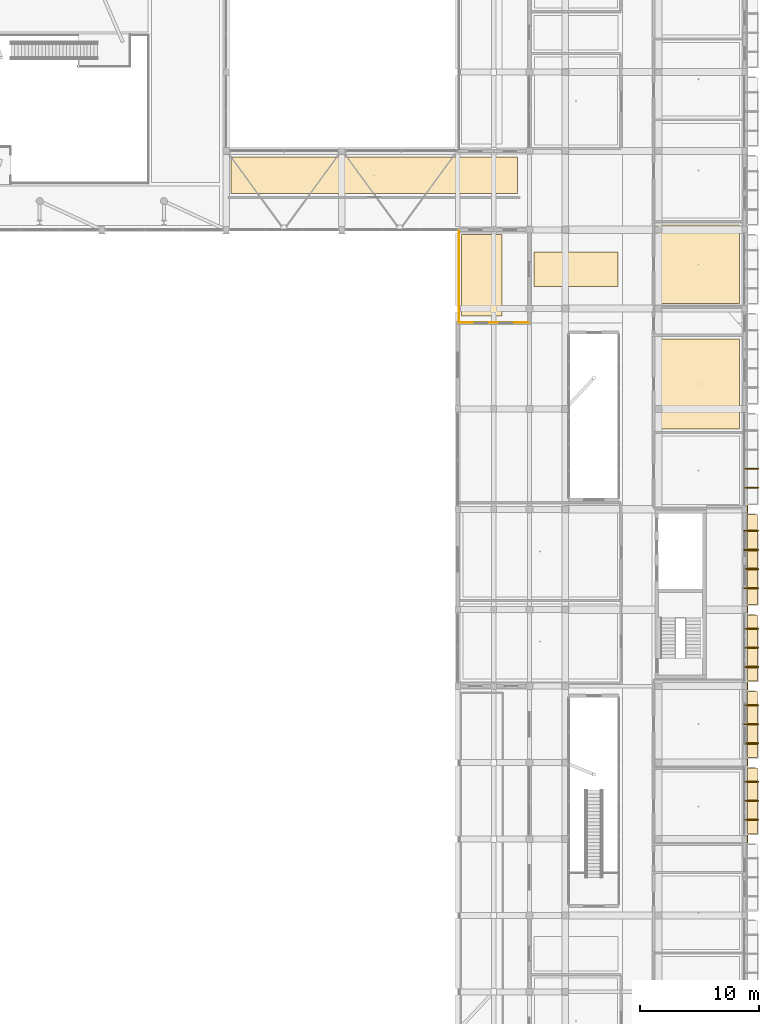
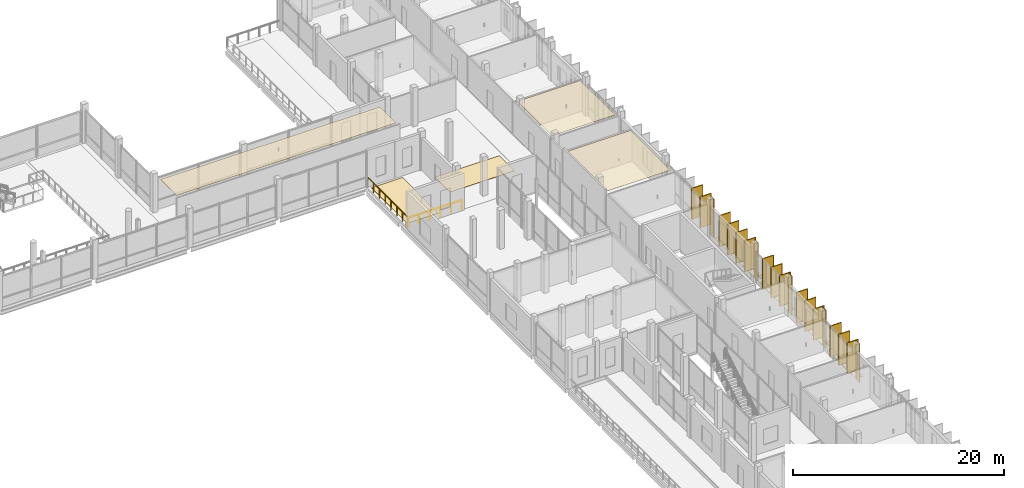
# One storey, part 94 of 95: 29 coverings, 15 shading devices, 2 railings.
"""IFC4 building model written with IfcOpenShell, lengths in metres."""

import ifcopenshell
import ifcopenshell.guid

model = None  # the IFC model being written
_history = None  # IfcOwnerHistory: only IFC2X3 demands one
_inside = {}  # id of a spatial element -> (the spatial element, [elements in it])
_under = {}  # id of a project, library or spatial element -> (it, [spatial elements below it])
_declared = {}  # id of a project -> (the project, [libraries it declares])
_typed = {}  # id of a type object -> (the type object, [elements of that type])
_made_of = {}  # id of a material, layer set ... -> (it, [elements and type objects made of it])


def new_model(schema):
    """Start an empty IFC model of exactly this schema.

    Asked for "IFC4X3", IfcOpenShell would pick the latest addendum, in which some entities
    have other attributes; the version numbers below select the first issue.
    IFC2X3 requires an IfcOwnerHistory on every rooted entity: one is made here for all.
    """
    global model, _history
    if schema == "IFC4X3":
        model = ifcopenshell.file(schema_version=(4, 3, 0, 0))
    else:
        model = ifcopenshell.file(schema=schema)
    _inside.clear()
    _under.clear()
    _declared.clear()
    _typed.clear()
    _made_of.clear()
    _history = None
    if model.schema == "IFC2X3":
        org = make("IfcOrganization", Name="unknown")
        user = make(
            "IfcPersonAndOrganization",
            ThePerson=make("IfcPerson", FamilyName="unknown"),
            TheOrganization=org,
        )
        app = make(
            "IfcApplication",
            ApplicationDeveloper=org,
            Version="unknown",
            ApplicationFullName="unknown",
            ApplicationIdentifier="unknown",
        )
        _history = make(
            "IfcOwnerHistory",
            OwningUser=user,
            OwningApplication=app,
            ChangeAction="ADDED",
            CreationDate=0,
        )
    return model


def make(cls, **values):
    """One entity of the class cls with the attributes given. An attribute that is None is left unset."""
    return model.create_entity(
        cls, **{name: value for name, value in values.items() if value is not None}
    )


def rooted(cls, **values):
    """An entity with a GlobalId (a new one), such as an element, a storey or a relation."""
    return make(cls, GlobalId=ifcopenshell.guid.new(), OwnerHistory=_history, **values)


def si_unit(unit_type, name, prefix=None):
    """IfcSIUnit, for example si_unit("LENGTHUNIT", "METRE", prefix="MILLI")."""
    return make("IfcSIUnit", UnitType=unit_type, Prefix=prefix, Name=name)


def derived_unit(unit_type, elements):
    """IfcDerivedUnit: a product of units, each with its exponent."""
    return make(
        "IfcDerivedUnit",
        Elements=[
            make("IfcDerivedUnitElement", Unit=unit, Exponent=power)
            for unit, power in elements
        ],
        UnitType=unit_type,
    )


def assignment(units):
    """IfcUnitAssignment: the units of a project."""
    return None if units is None else make("IfcUnitAssignment", Units=units)


def point(xyz):
    """IfcCartesianPoint."""
    return None if xyz is None else make("IfcCartesianPoint", Coordinates=xyz)


def direction(xyz):
    """IfcDirection."""
    return None if xyz is None else make("IfcDirection", DirectionRatios=xyz)


def frame(location, z_axis=None, x_axis=None):
    """IfcAxis2Placement3D, a coordinate frame: its origin and axes. An axis left out is left unset."""
    return make(
        "IfcAxis2Placement3D",
        Location=point(location),
        Axis=direction(z_axis),
        RefDirection=direction(x_axis),
    )


def frame_2d(location, x_axis=None):
    """IfcAxis2Placement2D, a coordinate frame in the plane: its origin and x axis."""
    return make(
        "IfcAxis2Placement2D", Location=point(location), RefDirection=direction(x_axis)
    )


def origin():
    """The frame at (0, 0, 0) with its axes left unset."""
    return frame((0.0, 0.0, 0.0))


def origin_2d():
    """The frame at (0, 0) in the plane with its x axis left unset."""
    return frame_2d((0.0, 0.0))


def place(relative_to, where):
    """IfcLocalPlacement: puts the frame where relative to a parent placement (None: the world)."""
    return make(
        "IfcLocalPlacement", PlacementRelTo=relative_to, RelativePlacement=where
    )


def context(
    kind, dimensions, precision=None, world=None, true_north=None, identifier=None
):
    """IfcGeometricRepresentationContext, for example the 3D "Model" context."""
    return make(
        "IfcGeometricRepresentationContext",
        ContextIdentifier=identifier,
        ContextType=kind,
        CoordinateSpaceDimension=dimensions,
        Precision=precision,
        WorldCoordinateSystem=world,
        TrueNorth=true_north,
    )


def subcontext(parent, identifier, kind, view, scale=None):
    """IfcGeometricRepresentationSubContext, for example "Body" below "Model"."""
    return make(
        "IfcGeometricRepresentationSubContext",
        ContextIdentifier=identifier,
        ContextType=kind,
        ParentContext=parent,
        TargetScale=scale,
        TargetView=view,
    )


def project(units=None, contexts=None):
    """IfcProject with its units and contexts."""
    return rooted(
        "IfcProject",
        Name="project",
        RepresentationContexts=contexts,
        UnitsInContext=assignment(units),
    )


def spatial(cls, under=None, at=None, **own):
    """A site, building, storey or space (cls), placed at a placement, below another one or the project."""
    s = rooted(cls, ObjectPlacement=at, **own)
    if under is not None:
        _under.setdefault(under.id(), (under, []))[1].append(s)
    return s


def polyline(points):
    """IfcPolyline through the points."""
    return make("IfcPolyline", Points=[point(p) for p in points])


def profile(cls, at=None, kind="AREA", **sizes):
    """A parametric profile (cls). Its sizes go by their IFC names, for example OverallWidth=200.0."""
    return make(cls, ProfileType=kind, Position=at, **sizes)


def rectangle(**sizes):
    """IfcRectangleProfileDef."""
    return profile("IfcRectangleProfileDef", **sizes)


def circle(**sizes):
    """IfcCircleProfileDef."""
    return profile("IfcCircleProfileDef", **sizes)


def outline(outer, holes=None, kind="AREA"):
    """IfcArbitraryClosedProfileDef: a profile drawn as a closed curve; with holes, ...WithVoids."""
    if holes is None:
        return make("IfcArbitraryClosedProfileDef", ProfileType=kind, OuterCurve=outer)
    return make(
        "IfcArbitraryProfileDefWithVoids",
        ProfileType=kind,
        OuterCurve=outer,
        InnerCurves=holes,
    )


def extrude(swept, where, along, depth):
    """IfcExtrudedAreaSolid: the profile swept, set in the frame where, extruded along a direction by depth."""
    return make(
        "IfcExtrudedAreaSolid",
        SweptArea=swept,
        Position=where,
        ExtrudedDirection=direction(along),
        Depth=depth,
    )


def shape(context_of_items, identifier, shape_type, items):
    """IfcShapeRepresentation: the items that make up one representation, for example the "Body"."""
    return make(
        "IfcShapeRepresentation",
        ContextOfItems=context_of_items,
        RepresentationIdentifier=identifier,
        RepresentationType=shape_type,
        Items=items,
    )


def material(Name=None, Category=None):
    """IfcMaterial."""
    return make("IfcMaterial", Name=Name, Category=Category)


def layer(
    of_material, thickness, ventilated=None, Name=None, Category=None, Priority=None
):
    """IfcMaterialLayer: one layer of a wall or slab, of a material (None: an air gap)."""
    return make(
        "IfcMaterialLayer",
        Material=of_material,
        LayerThickness=thickness,
        IsVentilated=ventilated,
        Name=Name,
        Category=Category,
        Priority=Priority,
    )


def layer_set(layers, Name=None):
    """IfcMaterialLayerSet."""
    return make("IfcMaterialLayerSet", MaterialLayers=layers, LayerSetName=Name)


def made_of(thing, what):
    """Note that an element or type object is made of a material, layer set ...; save() writes the relation."""
    if what is not None:
        _made_of.setdefault(what.id(), (what, []))[1].append(thing)
    return thing


def type_object(cls, material=None, **own):
    """A type object (cls), such as IfcWallType, which elements share."""
    return made_of(rooted(cls, **own), material)


def element(
    cls,
    number,
    at=None,
    inside=None,
    cuts=None,
    type_object=None,
    material=None,
    context=None,
    identifier="Body",
    shape_type=None,
    held_by="IfcProductDefinitionShape",
    body=None,
    shapes=None,
    **own,
):
    """One element of the class cls, such as IfcWall. Its Tag is "e" and its number.

    at: its placement. inside: the storey or other place that contains it. cuts: it is an
    opening in that element (IfcRelVoidsElement). A single representation is given by context,
    identifier, shape_type and body (its items); several are given by shapes. held_by: the class
    of the entity that holds the representations. save() writes the other relations.
    """
    e = rooted(cls, Tag="e%d" % number, ObjectPlacement=at, **own)
    if body is not None:
        shapes = [shape(context, identifier, shape_type, body)]
    if shapes is not None:
        e.Representation = make(held_by, Representations=shapes)
    if inside is not None:
        _inside.setdefault(inside.id(), (inside, []))[1].append(e)
    if cuts is not None:
        rooted(
            "IfcRelVoidsElement", RelatingBuildingElement=cuts, RelatedOpeningElement=e
        )
    if type_object is not None:
        _typed.setdefault(type_object.id(), (type_object, []))[1].append(e)
    return made_of(e, material)


def aggregate(whole, parts):
    """IfcRelAggregates: a whole, such as a stair, and the parts it consists of."""
    return rooted("IfcRelAggregates", RelatingObject=whole, RelatedObjects=parts)


def save(model, path):
    """Write the relations noted so far, then the file.

    IfcRelAggregates (storeys below a building ...), IfcRelContainedInSpatialStructure (elements
    in a storey), IfcRelDefinesByType, IfcRelAssociatesMaterial and IfcRelDeclares: one each for
    every whole, place, type object, material and project.
    """
    for whole, parts in _under.values():
        aggregate(whole, parts)
    for where, things in _inside.values():
        rooted(
            "IfcRelContainedInSpatialStructure",
            RelatedElements=things,
            RelatingStructure=where,
        )
    for kind, things in _typed.values():
        rooted("IfcRelDefinesByType", RelatedObjects=things, RelatingType=kind)
    for what, things in _made_of.values():
        rooted("IfcRelAssociatesMaterial", RelatedObjects=things, RelatingMaterial=what)
    for by, libraries in _declared.values():
        rooted("IfcRelDeclares", RelatingContext=by, RelatedDefinitions=libraries)
    model.write(path)


model = new_model("IFC4")

# Units and contexts
model_context = context("Model", 3, precision=1e-05, world=origin(), true_north=direction((0.0, 1.0)))
body_context = subcontext(model_context, "Body", "Model", "MODEL_VIEW")
ifc_project = project(units=[si_unit("LENGTHUNIT", "METRE"), si_unit("AREAUNIT", "SQUARE_METRE"), si_unit("VOLUMEUNIT", "CUBIC_METRE"), si_unit("PLANEANGLEUNIT", "RADIAN"), si_unit("MASSUNIT", "GRAM", prefix="KILO"), derived_unit("THERMALTRANSMITTANCEUNIT", [(si_unit("POWERUNIT", "WATT"), 1), (si_unit("LENGTHUNIT", "METRE"), -2), (si_unit("THERMODYNAMICTEMPERATUREUNIT", "KELVIN"), -1)])], contexts=[model_context])

# Site, building, storey
site_placement = place(None, origin())
site = spatial("IfcSite", under=ifc_project, at=site_placement, CompositionType="ELEMENT")
building_placement = place(site_placement, origin())
building = spatial("IfcBuilding", under=site, at=building_placement, Name="Braskholm Square Health Centre", CompositionType="ELEMENT")
storey_placement = place(building_placement, frame((0.0, 0.0, 4.800048828125)))
storey = spatial("IfcBuildingStorey", under=building, at=storey_placement, Name="L02", CompositionType="ELEMENT", Elevation=4.800048828125)

# Coverings
ifc_material_1 = material(Name="Fire-rated gypsum board barrier")
ifc_layer_1 = layer(ifc_material_1, 0.02490234375)
ifc_layer_set_1 = layer_set([ifc_layer_1], Name="Fire-rated gypsum board barrier")
covering_type_1 = type_object("IfcCoveringType", Name="AcousticClinicalCeilingTile", PredefinedType="CEILING", material=ifc_layer_set_1)
covering_1_placement = place(storey_placement, frame((0.0, 0.0, 3.764892578125)))
element("IfcCovering", 1, at=covering_1_placement, inside=storey, type_object=covering_type_1, Name="Acoustic ceiling L02-196", PredefinedType="CEILING", context=body_context, shape_type="SweptSolid", body=[
    extrude(outline(polyline([(156.5, 70.52001953125), (163.3798828125, 70.52001953125), (163.3798828125, 78.070068359375), (156.5, 78.070068359375), (156.5, 70.52001953125)])), origin(), (0.0, 0.0, 1.0), 0.025146484375),
])
covering_2_placement = place(storey_placement, frame((0.0, 0.0, 3.764892578125)))
element("IfcCovering", 2, at=covering_2_placement, inside=storey, type_object=covering_type_1, Name="Acoustic ceiling L02-198", PredefinedType="CEILING", context=body_context, shape_type="SweptSolid", body=[
    extrude(outline(polyline([(156.5, 81.02001953125), (163.3798828125, 81.02001953125), (163.3798828125, 87.580078125), (156.5, 87.580078125), (156.5, 81.02001953125)])), origin(), (0.0, 0.0, 1.0), 0.025146484375),
])
covering_3_placement = place(storey_placement, frame((0.0, 0.0, 3.784912109375)))
element("IfcCovering", 3, at=covering_3_placement, inside=storey, type_object=covering_type_1, Name="Acoustic ceiling L02-204", PredefinedType="CEILING", context=body_context, shape_type="SweptSolid", body=[
    extrude(outline(polyline([(120.820068359375, 90.219970703125), (144.780029296875, 90.219970703125), (144.780029296875, 93.280029296875), (120.820068359375, 93.280029296875), (120.820068359375, 90.219970703125)])), origin(), (0.0, 0.0, 1.0), 0.025146484375),
])

# Railings
ifc_material_2 = material(Name="Dark patinated chevron architectural bronze", Category="aluminium")
railing_type = type_object("IfcRailingType", Name="BronzeChevronGuardrail1100", PredefinedType="GUARDRAIL", material=ifc_material_2)
railing_1_placement = place(storey_placement, frame((145.75, 79.449951171875, 0.0)))
element("IfcRailing", 4, at=railing_1_placement, inside=storey, type_object=railing_type, Name="Bronze chevron guardrail 0009 L02", PredefinedType="GUARDRAIL", context=body_context, shape_type="SweptSolid", body=[
    extrude(circle(Radius=0.02392578125, at=origin_2d()), frame((0.0, 0.0, 1.076171875), z_axis=(-1.0, 0.0, 0.0), x_axis=(0.0, -1.0, 0.0)), (0.0, 0.0, 1.0), 5.85009765625),
    extrude(circle(Radius=0.02099609375, at=origin_2d()), origin(), (0.0, 0.0, 1.0), 1.052001953125),
    extrude(circle(Radius=0.02099609375, at=origin_2d()), frame((-1.169921875, 0.0, 0.0)), (0.0, 0.0, 1.0), 1.052001953125),
    extrude(circle(Radius=0.02099609375, at=origin_2d()), frame((-2.340087890625, 0.0, 0.0)), (0.0, 0.0, 1.0), 1.052001953125),
    extrude(circle(Radius=0.02099609375, at=origin_2d()), frame((-3.510009765625, 0.0, 0.0)), (0.0, 0.0, 1.0), 1.052001953125),
    extrude(circle(Radius=0.02099609375, at=origin_2d()), frame((-4.68017578125, 0.0, 0.0)), (0.0, 0.0, 1.0), 1.052001953125),
    extrude(circle(Radius=0.02099609375, at=origin_2d()), frame((-5.85009765625, 0.0, 0.0)), (0.0, 0.0, 1.0), 1.052001953125),
])
railing_2_placement = place(storey_placement, frame((139.89990234375, 79.449951171875, 0.0)))
element("IfcRailing", 5, at=railing_2_placement, inside=storey, type_object=railing_type, Name="Bronze chevron guardrail 0010 L02", PredefinedType="GUARDRAIL", context=body_context, shape_type="SweptSolid", body=[
    extrude(circle(Radius=0.02392578125, at=origin_2d()), frame((0.0, 0.0, 1.076171875), z_axis=(0.0, 1.0, 0.0), x_axis=(-1.0, 0.0, 0.0)), (0.0, 0.0, 1.0), 7.650146484375),
    extrude(circle(Radius=0.02099609375, at=origin_2d()), origin(), (0.0, 0.0, 1.0), 1.052001953125),
    extrude(circle(Radius=0.02099609375, at=origin_2d()), frame((0.0, 1.0927734375, 0.0)), (0.0, 0.0, 1.0), 1.052001953125),
    extrude(circle(Radius=0.02099609375, at=origin_2d()), frame((0.0, 2.185791015625, 0.0)), (0.0, 0.0, 1.0), 1.052001953125),
    extrude(circle(Radius=0.02099609375, at=origin_2d()), frame((0.0, 3.278564453125, 0.0)), (0.0, 0.0, 1.0), 1.052001953125),
    extrude(circle(Radius=0.02099609375, at=origin_2d()), frame((0.0, 4.37158203125, 0.0)), (0.0, 0.0, 1.0), 1.052001953125),
    extrude(circle(Radius=0.02099609375, at=origin_2d()), frame((0.0, 5.46435546875, 0.0)), (0.0, 0.0, 1.0), 1.052001953125),
    extrude(circle(Radius=0.02099609375, at=origin_2d()), frame((0.0, 6.557373046875, 0.0)), (0.0, 0.0, 1.0), 1.052001953125),
    extrude(circle(Radius=0.02099609375, at=origin_2d()), frame((0.0, 7.650146484375, 0.0)), (0.0, 0.0, 1.0), 1.052001953125),
])

# Shading devices
ifc_material_3 = material(Name="Thermally modified western red cedar with bronze trim", Category="wood")
shading_device_type = type_object("IfcShadingDeviceType", Name="CedarBronzeShadingFin1250", PredefinedType="USERDEFINED", material=ifc_material_3)
for number, where, z_axis, x_axis, name in (
    (6, (164.364990234375, 37.800048828125, 0.0), (0.0, 0.0, 1.0), (1.0, 0.0, 0.0), "Warm cedar-bronze vertical shading slat 0220"),
    (7, (164.364990234375, 39.39990234375, 0.0), (0.0, 0.0, 1.0), (1.0, 0.0, 0.0), "Warm cedar-bronze vertical shading slat 0221"),
    (8, (164.364990234375, 41.0, 0.0), (0.0, 0.0, 1.0), (1.0, 0.0, 0.0), "Warm cedar-bronze vertical shading slat 0222"),
    (9, (164.364990234375, 44.199951171875, 0.0), (0.0, 0.0, 1.0), (1.0, 0.0, 0.0), "Warm cedar-bronze vertical shading slat 0223"),
    (10, (164.364990234375, 45.800048828125, 0.0), (0.0, 0.0, 1.0), (1.0, 0.0, 0.0), "Warm cedar-bronze vertical shading slat 0224"),
    (11, (164.364990234375, 47.39990234375, 0.0), (0.0, 0.0, 1.0), (1.0, 0.0, 0.0), "Warm cedar-bronze vertical shading slat 0225"),
    (12, (164.364990234375, 50.60009765625, 0.0), (0.0, 0.0, 1.0), (1.0, 0.0, 0.0), "Warm cedar-bronze vertical shading slat 0226"),
    (13, (164.364990234375, 52.199951171875, 0.0), (0.0, 0.0, 1.0), (1.0, 0.0, 0.0), "Warm cedar-bronze vertical shading slat 0227"),
    (14, (164.364990234375, 53.800048828125, 0.0), (0.0, 0.0, 1.0), (1.0, 0.0, 0.0), "Warm cedar-bronze vertical shading slat 0228"),
    (15, (164.364990234375, 57.199951171875, 0.0), (0.0, 0.0, 1.0), (1.0, 0.0, 0.0), "Warm cedar-bronze vertical shading slat 0229"),
    (16, (164.364990234375, 58.800048828125, 0.0), (0.0, 0.0, 1.0), (1.0, 0.0, 0.0), "Warm cedar-bronze vertical shading slat 0230"),
    (17, (164.364990234375, 60.39990234375, 0.0), (0.0, 0.0, 1.0), (1.0, 0.0, 0.0), "Warm cedar-bronze vertical shading slat 0231"),
    (18, (164.364990234375, 62.0, 0.0), (0.0, 0.0, 1.0), (1.0, 0.0, 0.0), "Warm cedar-bronze vertical shading slat 0232"),
    (19, (164.364990234375, 65.60009765625, 0.0), (0.0, 0.0, 1.0), (1.0, 0.0, 0.0), "Warm cedar-bronze vertical shading slat 0233"),
    (20, (164.364990234375, 67.199951171875, 0.0), (0.0, 0.0, 1.0), (1.0, 0.0, 0.0), "Warm cedar-bronze vertical shading slat 0234"),
):
    element("IfcShadingDevice", number, at=place(storey_placement, frame(where, z_axis=z_axis, x_axis=x_axis)), inside=storey, type_object=shading_device_type, Name=name, ObjectType="FIN", PredefinedType="USERDEFINED", context=body_context, shape_type="SweptSolid", body=[
        extrude(rectangle(XDim=1.25, YDim=0.0849609375, at=origin_2d()), origin(), (0.0, 0.0, 1.0), 3.570068359375),
    ])

# Coverings
ifc_layer_2 = layer(ifc_material_3, 0.0849609375)
ifc_layer_set_2 = layer_set([ifc_layer_2], Name="Thermally modified western red cedar with bronze trim")
covering_type_2 = type_object("IfcCoveringType", Name="CedarBronzeSlatCladding", PredefinedType="CLADDING", material=ifc_layer_set_2)
for number, where, z_axis, x_axis, name in (
    (21, (164.3701171875, 37.800048828125, 0.0), (0.0, 0.0, 1.0), (1.0, 0.0, 0.0), "Cedar-bronze shading slat trim 0700"),
    (22, (164.3701171875, 39.39990234375, 0.0), (0.0, 0.0, 1.0), (1.0, 0.0, 0.0), "Cedar-bronze shading slat trim 0701"),
    (23, (164.3701171875, 41.0, 0.0), (0.0, 0.0, 1.0), (1.0, 0.0, 0.0), "Cedar-bronze shading slat trim 0702"),
    (24, (164.3701171875, 44.199951171875, 0.0), (0.0, 0.0, 1.0), (1.0, 0.0, 0.0), "Cedar-bronze shading slat trim 0704"),
    (25, (164.3701171875, 45.800048828125, 0.0), (0.0, 0.0, 1.0), (1.0, 0.0, 0.0), "Cedar-bronze shading slat trim 0705"),
    (26, (164.3701171875, 47.39990234375, 0.0), (0.0, 0.0, 1.0), (1.0, 0.0, 0.0), "Cedar-bronze shading slat trim 0706"),
    (27, (164.3701171875, 50.60009765625, 0.0), (0.0, 0.0, 1.0), (1.0, 0.0, 0.0), "Cedar-bronze shading slat trim 0708"),
    (28, (164.3701171875, 52.199951171875, 0.0), (0.0, 0.0, 1.0), (1.0, 0.0, 0.0), "Cedar-bronze shading slat trim 0709"),
    (29, (164.3701171875, 53.800048828125, 0.0), (0.0, 0.0, 1.0), (1.0, 0.0, 0.0), "Cedar-bronze shading slat trim 0710"),
    (30, (164.3701171875, 57.199951171875, 0.0), (0.0, 0.0, 1.0), (1.0, 0.0, 0.0), "Cedar-bronze shading slat trim 0712"),
    (31, (164.3701171875, 58.800048828125, 0.0), (0.0, 0.0, 1.0), (1.0, 0.0, 0.0), "Cedar-bronze shading slat trim 0713"),
    (32, (164.3701171875, 60.39990234375, 0.0), (0.0, 0.0, 1.0), (1.0, 0.0, 0.0), "Cedar-bronze shading slat trim 0714"),
    (33, (164.3701171875, 62.0, 0.0), (0.0, 0.0, 1.0), (1.0, 0.0, 0.0), "Cedar-bronze shading slat trim 0715"),
    (34, (164.3701171875, 65.60009765625, 0.0), (0.0, 0.0, 1.0), (1.0, 0.0, 0.0), "Cedar-bronze shading slat trim 0717"),
    (35, (164.3701171875, 67.199951171875, 0.0), (0.0, 0.0, 1.0), (1.0, 0.0, 0.0), "Cedar-bronze shading slat trim 0718"),
):
    element("IfcCovering", number, at=place(storey_placement, frame(where, z_axis=z_axis, x_axis=x_axis)), inside=storey, type_object=covering_type_2, Name=name, PredefinedType="CLADDING", context=body_context, shape_type="SweptSolid", body=[
        extrude(rectangle(XDim=1.179931640625, YDim=0.094970703125, at=origin_2d()), origin(), (0.0, 0.0, 1.0), 3.570068359375),
    ])
ifc_material_4 = material(Name="Intensive botanical sedum and native prairie garden bed")
ifc_layer_3 = layer(ifc_material_4, 0.02490234375)
ifc_layer_set_3 = layer_set([ifc_layer_3], Name="Intensive botanical sedum and native prairie garden bed")
covering_type_3 = type_object("IfcCoveringType", Name="PlantedTerraceGardenBed", PredefinedType="ROOFING", material=ifc_layer_set_3)
covering_4_placement = place(storey_placement, origin())
element("IfcCovering", 36, at=covering_4_placement, inside=storey, type_object=covering_type_3, Name="East floor planter ledge sedum strip 0703", PredefinedType="ROOFING", context=body_context, shape_type="SweptSolid", body=[
    extrude(outline(polyline([(164.050048828125, 36.639892578125), (164.8798828125, 36.639892578125), (164.8798828125, 42.159912109375), (164.050048828125, 42.159912109375), (164.050048828125, 36.639892578125)])), origin(), (0.0, 0.0, 1.0), 0.02490234375),
])
covering_5_placement = place(storey_placement, origin())
element("IfcCovering", 37, at=covering_5_placement, inside=storey, type_object=covering_type_3, Name="East floor planter ledge sedum strip 0707", PredefinedType="ROOFING", context=body_context, shape_type="SweptSolid", body=[
    extrude(outline(polyline([(164.050048828125, 43.0400390625), (164.8798828125, 43.0400390625), (164.8798828125, 48.56005859375), (164.050048828125, 48.56005859375), (164.050048828125, 43.0400390625)])), origin(), (0.0, 0.0, 1.0), 0.02490234375),
])
covering_6_placement = place(storey_placement, origin())
element("IfcCovering", 38, at=covering_6_placement, inside=storey, type_object=covering_type_3, Name="East floor planter ledge sedum strip 0711", PredefinedType="ROOFING", context=body_context, shape_type="SweptSolid", body=[
    extrude(outline(polyline([(164.050048828125, 49.43994140625), (164.8798828125, 49.43994140625), (164.8798828125, 54.9599609375), (164.050048828125, 54.9599609375), (164.050048828125, 49.43994140625)])), origin(), (0.0, 0.0, 1.0), 0.02490234375),
])
covering_7_placement = place(storey_placement, origin())
element("IfcCovering", 39, at=covering_7_placement, inside=storey, type_object=covering_type_3, Name="East floor planter ledge sedum strip 0716", PredefinedType="ROOFING", context=body_context, shape_type="SweptSolid", body=[
    extrude(outline(polyline([(164.050048828125, 55.840087890625), (164.8798828125, 55.840087890625), (164.8798828125, 63.360107421875), (164.050048828125, 63.360107421875), (164.050048828125, 55.840087890625)])), origin(), (0.0, 0.0, 1.0), 0.02490234375),
])
covering_8_placement = place(storey_placement, origin())
element("IfcCovering", 40, at=covering_8_placement, inside=storey, type_object=covering_type_3, Name="Planted therapy terrace garden bed 0906", PredefinedType="ROOFING", context=body_context, shape_type="SweptSolid", body=[
    extrude(outline(polyline([(140.10009765625, 80.0), (143.5, 80.0), (143.5, 86.800048828125), (140.10009765625, 86.800048828125), (140.10009765625, 80.0)])), origin(), (0.0, 0.0, 1.0), 0.02490234375),
])
ifc_material_5 = material(Name="Polished geometric terrazzo flooring", Category="masonry")
ifc_layer_4 = layer(ifc_material_5, 0.02001953125)
ifc_layer_set_4 = layer_set([ifc_layer_4], Name="Polished geometric terrazzo flooring")
covering_type_4 = type_object("IfcCoveringType", Name="PolishedTerrazzoFloorFinish", PredefinedType="FLOORING", material=ifc_layer_set_4)
covering_9_placement = place(storey_placement, origin())
element("IfcCovering", 41, at=covering_9_placement, inside=storey, type_object=covering_type_4, Name="Polished terrazzo floor L02-206", PredefinedType="FLOORING", context=body_context, shape_type="SweptSolid", body=[
    extrude(outline(polyline([(146.169921875, 82.449951171875), (153.219970703125, 82.449951171875), (153.219970703125, 85.35009765625), (146.169921875, 85.35009765625), (146.169921875, 82.449951171875)])), origin(), (0.0, 0.0, 1.0), 0.02001953125),
])
ifc_material_6 = material(Name="Precast concrete C40/50 architectural white", Category="concrete")
ifc_layer_5 = layer(ifc_material_6, 0.054931640625)
ifc_layer_set_5 = layer_set([ifc_layer_5], Name="Precast concrete C40/50 architectural white")
covering_type_5 = type_object("IfcCoveringType", Name="PrecastWhiteColumnCasing", PredefinedType="CLADDING", material=ifc_layer_set_5)
for number, where, z_axis, x_axis, name in (
    (42, (164.054931640625, 36.199951171875, 0.0), (0.0, 0.0, 1.0), (1.0, 0.0, 0.0), "Giant-order white precast column casing 0285"),
    (43, (164.054931640625, 42.60009765625, 0.0), (0.0, 0.0, 1.0), (1.0, 0.0, 0.0), "Giant-order white precast column casing 0293"),
    (44, (164.054931640625, 49.0, 0.0), (0.0, 0.0, 1.0), (1.0, 0.0, 0.0), "Giant-order white precast column casing 0301"),
    (45, (164.054931640625, 55.39990234375, 0.0), (0.0, 0.0, 1.0), (1.0, 0.0, 0.0), "Giant-order white precast column casing 0309"),
    (46, (164.054931640625, 63.800048828125, 0.0), (0.0, 0.0, 1.0), (1.0, 0.0, 0.0), "Giant-order white precast column casing 0317"),
):
    element("IfcCovering", number, at=place(storey_placement, frame(where, z_axis=z_axis, x_axis=x_axis)), inside=storey, type_object=covering_type_5, Name=name, PredefinedType="CLADDING", context=body_context, shape_type="SweptSolid", body=[
        extrude(rectangle(XDim=0.06005859375, YDim=0.639892578125, at=origin_2d()), origin(), (0.0, 0.0, 1.0), 4.5),
    ])

save(model, "model.ifc")
